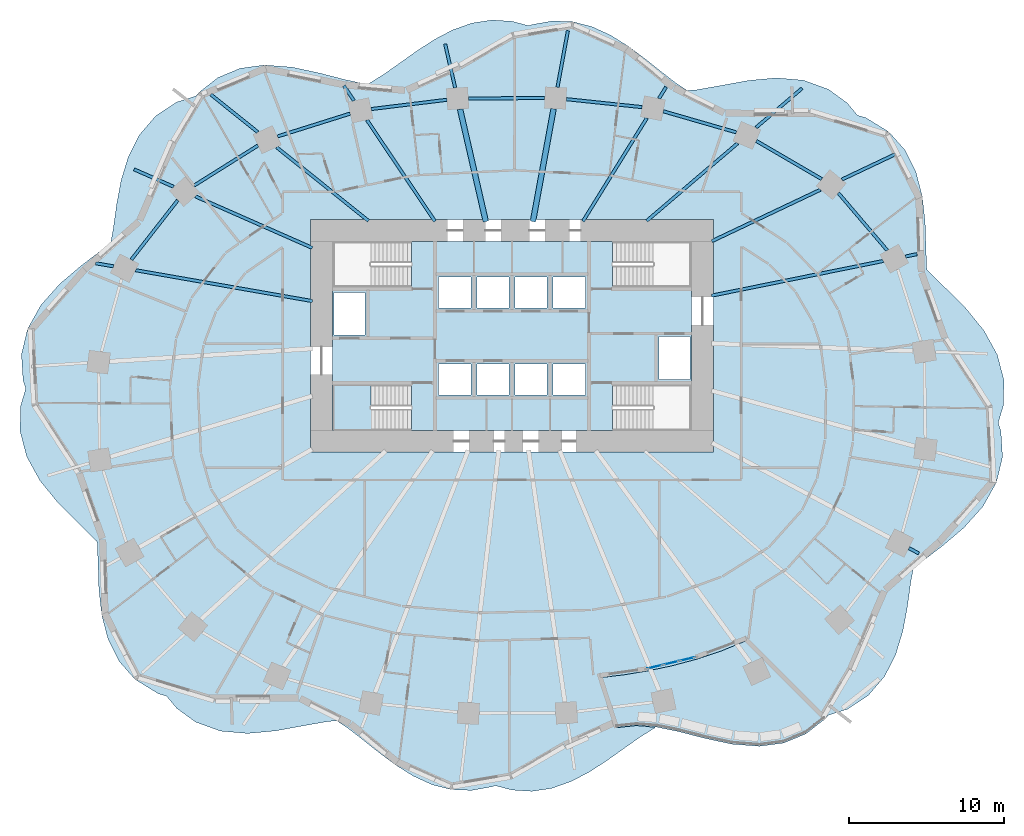
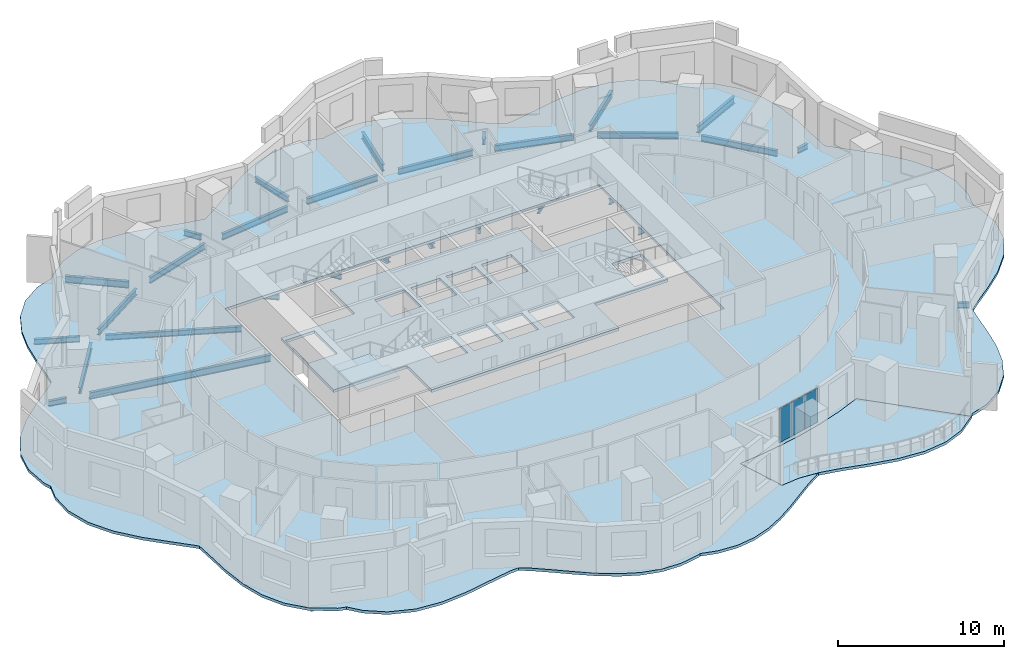
# One storey, part 3 of 14: 30 beams, 4 slabs, 3 plates, 2 elements without a shape of their own.
"""IFC4 building model written with IfcOpenShell, lengths in metres."""

from ifc_helpers import new_model, si_unit, direction, frame, origin, origin_2d, place, context, subcontext, project, spatial, polyline, rectangle, i_section, outline, extrude, material, layer, layer_set, material_profile, profile_set, type_object, element, aggregate, save


model = new_model("IFC4")

# Units and contexts
model_context = context("Model", 3, precision=1e-05, world=origin(), true_north=direction((0.0, 1.0)))
body_context = subcontext(model_context, "Body", "Model", "MODEL_VIEW")
ifc_project = project(units=[si_unit("LENGTHUNIT", "METRE"), si_unit("AREAUNIT", "SQUARE_METRE"), si_unit("VOLUMEUNIT", "CUBIC_METRE"), si_unit("PLANEANGLEUNIT", "RADIAN"), si_unit("MASSUNIT", "GRAM", prefix="KILO")], contexts=[model_context])

# Site, building, storey
site_placement = place(None, origin())
site = spatial("IfcSite", under=ifc_project, at=site_placement, CompositionType="ELEMENT")
building_placement = place(site_placement, origin())
building = spatial("IfcBuilding", under=site, at=building_placement, Name="Rubra Terraces Tower", CompositionType="ELEMENT")
storey_placement = place(building_placement, frame((0.0, 0.0, 44.699951171875)))
storey = spatial("IfcBuildingStorey", under=building, at=storey_placement, Name="L08", CompositionType="ELEMENT", Elevation=44.699951171875)

# Beams
ifc_material_1 = material(Name="Steel Q355B", Category="steel")
ifc_material_profile_1 = material_profile(ifc_material_1, i_section(OverallWidth=0.199951171875, OverallDepth=0.39990234375, WebThickness=0.008056640625, FlangeThickness=0.012939453125, at=origin_2d()), Name="HN 400x200x8x13")
ifc_profile_set_1 = profile_set([ifc_material_profile_1], Name="Steel Q355B")
beam_type_1 = type_object("IfcBeamType", Name="CANTILEVER BEAM HN 400x200x8x13", PredefinedType="BEAM", material=ifc_profile_set_1)
beam_1_placement = place(storey_placement, frame((-3.6669921875, 20.514892578125, -0.39990234375), z_axis=(-0.223149467585, 0.974784240289, 0.0), x_axis=(-0.974784240289, -0.223149467585, 0.0)))
element("IfcBeam", 1, at=beam_1_placement, inside=storey, type_object=beam_type_1, Name="beam-L08-cant-07", PredefinedType="BEAM", context=body_context, shape_type="SweptSolid", body=[
    extrude(i_section(OverallWidth=0.199951171875, OverallDepth=0.39990234375, WebThickness=0.008056640625, FlangeThickness=0.012939453125, at=origin_2d()), origin(), (0.0, 0.0, 1.0), 2.899169921875),
])
beam_2_placement = place(storey_placement, frame((-21.8369140625, 14.1259765625, -0.39990234375), z_axis=(-0.914977711783, 0.403504382802, 0.0), x_axis=(-0.403504382802, -0.914977711783, 0.0)))
element("IfcBeam", 2, at=beam_2_placement, inside=storey, type_object=beam_type_1, Name="beam-L08-cant-10", PredefinedType="BEAM", context=body_context, shape_type="SweptSolid", body=[
    extrude(i_section(OverallWidth=0.199951171875, OverallDepth=0.39990234375, WebThickness=0.008056640625, FlangeThickness=0.012939453125, at=origin_2d()), origin(), (0.0, 0.0, 1.0), 2.7880859375),
])
ifc_material_profile_2 = material_profile(ifc_material_1, i_section(OverallWidth=0.198974609375, OverallDepth=0.49609375, WebThickness=0.009033203125, FlangeThickness=0.013916015625, at=origin_2d()), Name="HN 496x199x9x14")
ifc_profile_set_2 = profile_set([ifc_material_profile_2], Name="Steel Q355B")
beam_type_2 = type_object("IfcBeamType", Name="CANTILEVER BEAM HN 496x199x9x14", PredefinedType="BEAM", material=ifc_profile_set_2)
beam_3_placement = place(storey_placement, frame((21.2958984375, 14.595947265625, -0.447998046875), z_axis=(0.903605833067, 0.428364912717, 0.0), x_axis=(-0.428364912717, 0.903605833067, 0.0)))
element("IfcBeam", 3, at=beam_3_placement, inside=storey, type_object=beam_type_2, Name="beam-L08-cant-03", PredefinedType="BEAM", context=body_context, shape_type="SweptSolid", body=[
    extrude(i_section(OverallWidth=0.198974609375, OverallDepth=0.49609375, WebThickness=0.009033203125, FlangeThickness=0.013916015625, at=origin_2d()), origin(), (0.0, 0.0, 1.0), 3.880126953125),
])
beam_4_placement = place(storey_placement, frame((15.7509765625, 17.947998046875, -0.447998046875), z_axis=(0.760549427377, 0.649280038594, 0.0), x_axis=(-0.649280038594, 0.760549427377, 0.0)))
element("IfcBeam", 4, at=beam_4_placement, inside=storey, type_object=beam_type_2, Name="beam-L08-cant-04", PredefinedType="BEAM", context=body_context, shape_type="SweptSolid", body=[
    extrude(i_section(OverallWidth=0.198974609375, OverallDepth=0.49609375, WebThickness=0.009033203125, FlangeThickness=0.013916015625, at=origin_2d()), origin(), (0.0, 0.0, 1.0), 3.901123046875),
])
beam_5_placement = place(storey_placement, frame((2.93798828125, 20.549072265625, -0.447998046875), z_axis=(0.180160105154, 0.983637299268, 0.0), x_axis=(-0.983637299268, 0.180160105154, 0.0)))
element("IfcBeam", 5, at=beam_5_placement, inside=storey, type_object=beam_type_2, Name="beam-L08-cant-06", PredefinedType="BEAM", context=body_context, shape_type="SweptSolid", body=[
    extrude(i_section(OverallWidth=0.198974609375, OverallDepth=0.49609375, WebThickness=0.009033203125, FlangeThickness=0.013916015625, at=origin_2d()), origin(), (0.0, 0.0, 1.0), 3.70751953125),
])
beam_6_placement = place(storey_placement, frame((-16.408935546875, 17.654052734375, -0.447998046875), z_axis=(-0.780303082646, 0.625401550376, 0.0), x_axis=(-0.625401550376, -0.780303082646, 0.0)))
element("IfcBeam", 6, at=beam_6_placement, inside=storey, type_object=beam_type_2, Name="beam-L08-cant-09", PredefinedType="BEAM", context=body_context, shape_type="SweptSolid", body=[
    extrude(i_section(OverallWidth=0.198974609375, OverallDepth=0.49609375, WebThickness=0.009033203125, FlangeThickness=0.013916015625, at=origin_2d()), origin(), (0.0, 0.0, 1.0), 3.875732421875),
])
ifc_material_profile_3 = material_profile(ifc_material_1, i_section(OverallWidth=0.199951171875, OverallDepth=0.39990234375, WebThickness=0.008056640625, FlangeThickness=0.012939453125, at=origin_2d()), Name="HN 400x200x8x13")
ifc_profile_set_3 = profile_set([ifc_material_profile_3], Name="Steel Q355B")
beam_type_3 = type_object("IfcBeamType", Name="CANTILEVER STUB HN 400x200x8x13", PredefinedType="BEAM", material=ifc_profile_set_3)
beam_7_placement = place(storey_placement, frame((25.39599609375, 9.6279296875, -0.39990234375), z_axis=(0.980131570492, 0.198348442202, 0.0), x_axis=(-0.198348442202, 0.980131570492, 0.0)))
element("IfcBeam", 7, at=beam_7_placement, inside=storey, type_object=beam_type_3, Name="beam-L08-cant-02", PredefinedType="BEAM", context=body_context, shape_type="SweptSolid", body=[
    extrude(i_section(OverallWidth=0.199951171875, OverallDepth=0.39990234375, WebThickness=0.008056640625, FlangeThickness=0.012939453125, at=origin_2d()), origin(), (0.0, 0.0, 1.0), 0.757080078125),
])
beam_8_placement = place(storey_placement, frame((9.488037109375, 19.827880859375, -0.39990234375), z_axis=(0.526364336009, 0.850259128606, 0.0), x_axis=(-0.850259128606, 0.526364336009, 0.0)))
element("IfcBeam", 8, at=beam_8_placement, inside=storey, type_object=beam_type_3, Name="beam-L08-cant-05", PredefinedType="BEAM", context=body_context, shape_type="SweptSolid", body=[
    extrude(i_section(OverallWidth=0.199951171875, OverallDepth=0.39990234375, WebThickness=0.008056640625, FlangeThickness=0.012939453125, at=origin_2d()), origin(), (0.0, 0.0, 1.0), 0.864501953125),
])
beam_9_placement = place(storey_placement, frame((-10.199951171875, 19.68310546875, -0.39990234375), z_axis=(-0.557843143938, 0.829946399932, 0.0), x_axis=(-0.829946399932, -0.557843143938, 0.0)))
element("IfcBeam", 9, at=beam_9_placement, inside=storey, type_object=beam_type_3, Name="beam-L08-cant-08", PredefinedType="BEAM", context=body_context, shape_type="SweptSolid", body=[
    extrude(i_section(OverallWidth=0.199951171875, OverallDepth=0.39990234375, WebThickness=0.008056640625, FlangeThickness=0.012939453125, at=origin_2d()), origin(), (0.0, 0.0, 1.0), 1.163818359375),
])
beam_10_placement = place(storey_placement, frame((-25.722900390625, 8.991943359375, -0.39990234375), z_axis=(-0.985070350179, 0.172152273287, 0.0), x_axis=(-0.172152273287, -0.985070350179, 0.0)))
element("IfcBeam", 10, at=beam_10_placement, inside=storey, type_object=beam_type_3, Name="beam-L08-cant-11", PredefinedType="BEAM", context=body_context, shape_type="SweptSolid", body=[
    extrude(i_section(OverallWidth=0.199951171875, OverallDepth=0.39990234375, WebThickness=0.008056640625, FlangeThickness=0.012939453125, at=origin_2d()), origin(), (0.0, 0.0, 1.0), 1.16845703125),
])
beam_11_placement = place(storey_placement, frame((25.62109375, -9.196044921875, -0.39990234375), z_axis=(0.881824185964, -0.471578312741, 0.0), x_axis=(0.471578312741, 0.881824185964, 0.0)))
element("IfcBeam", 11, at=beam_11_placement, inside=storey, type_object=beam_type_3, Name="beam-L08-cant-23", PredefinedType="BEAM", context=body_context, shape_type="SweptSolid", body=[
    extrude(i_section(OverallWidth=0.199951171875, OverallDepth=0.39990234375, WebThickness=0.008056640625, FlangeThickness=0.012939453125, at=origin_2d()), origin(), (0.0, 0.0, 1.0), 0.716552734375),
])
ifc_material_profile_4 = material_profile(ifc_material_1, i_section(OverallWidth=0.199951171875, OverallDepth=0.39990234375, WebThickness=0.008056640625, FlangeThickness=0.012939453125, at=origin_2d()), Name="HN 400x200x8x13")
ifc_profile_set_4 = profile_set([ifc_material_profile_4], Name="Steel Q355B")
beam_type_4 = type_object("IfcBeamType", Name="FLOOR BEAM HN 400x200x8x13", PredefinedType="BEAM", material=ifc_profile_set_4)
beam_12_placement = place(storey_placement, frame((19.904052734375, 13.93603515625, -0.39990234375), z_axis=(-0.903612237836, -0.428351402045, 0.0), x_axis=(0.428351402045, -0.903612237836, 0.0)))
element("IfcBeam", 12, at=beam_12_placement, inside=storey, type_object=beam_type_4, Name="beam-L08-floor-03", PredefinedType="BEAM", context=body_context, shape_type="SweptSolid", body=[
    extrude(i_section(OverallWidth=0.199951171875, OverallDepth=0.39990234375, WebThickness=0.008056640625, FlangeThickness=0.012939453125, at=origin_2d()), origin(), (0.0, 0.0, 1.0), 7.760009765625),
])
beam_13_placement = place(storey_placement, frame((14.56298828125, 16.93408203125, -0.39990234375), z_axis=(-0.760494401061, -0.649344489431, 0.0), x_axis=(0.649344489431, -0.760494401061, 0.0)))
element("IfcBeam", 13, at=beam_13_placement, inside=storey, type_object=beam_type_4, Name="beam-L08-floor-04", PredefinedType="BEAM", context=body_context, shape_type="SweptSolid", body=[
    extrude(i_section(OverallWidth=0.199951171875, OverallDepth=0.39990234375, WebThickness=0.008056640625, FlangeThickness=0.012939453125, at=origin_2d()), origin(), (0.0, 0.0, 1.0), 7.718505859375),
])
beam_14_placement = place(storey_placement, frame((8.699951171875, 18.555908203125, -0.39990234375), z_axis=(-0.526285914839, -0.850307671283, 0.0), x_axis=(0.850307671283, -0.526285914839, 0.0)))
element("IfcBeam", 14, at=beam_14_placement, inside=storey, type_object=beam_type_4, Name="beam-L08-floor-05", PredefinedType="BEAM", context=body_context, shape_type="SweptSolid", body=[
    extrude(i_section(OverallWidth=0.199951171875, OverallDepth=0.39990234375, WebThickness=0.008056640625, FlangeThickness=0.012939453125, at=origin_2d()), origin(), (0.0, 0.0, 1.0), 7.830078125),
])
beam_15_placement = place(storey_placement, frame((-9.360107421875, 18.43310546875, -0.39990234375), z_axis=(0.557574689395, -0.830126776912, 0.0), x_axis=(0.830126776912, 0.557574689395, 0.0)))
element("IfcBeam", 15, at=beam_15_placement, inside=storey, type_object=beam_type_4, Name="beam-L08-floor-08", PredefinedType="BEAM", context=body_context, shape_type="SweptSolid", body=[
    extrude(i_section(OverallWidth=0.199951171875, OverallDepth=0.39990234375, WebThickness=0.008056640625, FlangeThickness=0.012939453125, at=origin_2d()), origin(), (0.0, 0.0, 1.0), 7.8701171875),
])
beam_16_placement = place(storey_placement, frame((-15.18896484375, 16.676025390625, -0.39990234375), z_axis=(0.780266406942, -0.625447307291, 0.0), x_axis=(0.625447307291, 0.780266406942, 0.0)))
element("IfcBeam", 16, at=beam_16_placement, inside=storey, type_object=beam_type_4, Name="beam-L08-floor-09", PredefinedType="BEAM", context=body_context, shape_type="SweptSolid", body=[
    extrude(i_section(OverallWidth=0.199951171875, OverallDepth=0.39990234375, WebThickness=0.008056640625, FlangeThickness=0.012939453125, at=origin_2d()), origin(), (0.0, 0.0, 1.0), 7.59619140625),
])
beam_17_placement = place(storey_placement, frame((-20.43310546875, 13.508056640625, -0.39990234375), z_axis=(0.914994662209, -0.4034659442, 0.0), x_axis=(0.4034659442, 0.914994662209, 0.0)))
element("IfcBeam", 17, at=beam_17_placement, inside=storey, type_object=beam_type_4, Name="beam-L08-floor-10", PredefinedType="BEAM", context=body_context, shape_type="SweptSolid", body=[
    extrude(i_section(OverallWidth=0.199951171875, OverallDepth=0.39990234375, WebThickness=0.008056640625, FlangeThickness=0.012939453125, at=origin_2d()), origin(), (0.0, 0.0, 1.0), 8.243896484375),
])
ifc_material_profile_5 = material_profile(ifc_material_1, i_section(OverallWidth=0.198974609375, OverallDepth=0.49609375, WebThickness=0.009033203125, FlangeThickness=0.013916015625, at=origin_2d()), Name="HN 496x199x9x14")
ifc_profile_set_5 = profile_set([ifc_material_profile_5], Name="Steel Q355B")
beam_type_5 = type_object("IfcBeamType", Name="FLOOR BEAM HN 496x199x9x14", PredefinedType="BEAM", material=ifc_profile_set_5)
beam_18_placement = place(storey_placement, frame((23.9560546875, 9.337890625, -0.447998046875), z_axis=(-0.980204035637, -0.197990021264, 0.0), x_axis=(0.197990021264, -0.980204035637, 0.0)))
element("IfcBeam", 18, at=beam_18_placement, inside=storey, type_object=beam_type_5, Name="beam-L08-floor-02", PredefinedType="BEAM", context=body_context, shape_type="SweptSolid", body=[
    extrude(i_section(OverallWidth=0.198974609375, OverallDepth=0.49609375, WebThickness=0.009033203125, FlangeThickness=0.013916015625, at=origin_2d()), origin(), (0.0, 0.0, 1.0), 11.297607421875),
])
beam_19_placement = place(storey_placement, frame((-24.282958984375, 8.739990234375, -0.447998046875), z_axis=(0.985091834527, -0.172029292701, 0.0), x_axis=(0.172029292701, 0.985091834527, 0.0)))
element("IfcBeam", 19, at=beam_19_placement, inside=storey, type_object=beam_type_5, Name="beam-L08-floor-11", PredefinedType="BEAM", context=body_context, shape_type="SweptSolid", body=[
    extrude(i_section(OverallWidth=0.198974609375, OverallDepth=0.49609375, WebThickness=0.009033203125, FlangeThickness=0.013916015625, at=origin_2d()), origin(), (0.0, 0.0, 1.0), 11.573486328125),
])
ifc_material_profile_6 = material_profile(ifc_material_1, i_section(OverallWidth=0.35009765625, OverallDepth=0.35009765625, WebThickness=0.011962890625, FlangeThickness=0.01904296875, at=origin_2d()), Name="HW 350x350x12x19")
ifc_profile_set_6 = profile_set([ifc_material_profile_6], Name="Steel Q355B")
beam_type_6 = type_object("IfcBeamType", Name="FLOOR BEAM HW 350x350x12x19", PredefinedType="BEAM", material=ifc_profile_set_6)
beam_20_placement = place(storey_placement, frame((2.68408203125, 19.158935546875, -0.375), z_axis=(-0.180186319425, -0.983632497578, 0.0), x_axis=(0.983632497578, -0.180186319425, 0.0)))
element("IfcBeam", 20, at=beam_20_placement, inside=storey, type_object=beam_type_6, Name="beam-L08-floor-06", PredefinedType="BEAM", context=body_context, shape_type="SweptSolid", body=[
    extrude(i_section(OverallWidth=0.35009765625, OverallDepth=0.35009765625, WebThickness=0.011962890625, FlangeThickness=0.01904296875, at=origin_2d()), origin(), (0.0, 0.0, 1.0), 7.39794921875),
])
beam_21_placement = place(storey_placement, frame((-3.35107421875, 19.133056640625, -0.375), z_axis=(0.223209821828, -0.974770421914, 0.0), x_axis=(0.974770421914, 0.223209821828, 0.0)))
element("IfcBeam", 21, at=beam_21_placement, inside=storey, type_object=beam_type_6, Name="beam-L08-floor-07", PredefinedType="BEAM", context=body_context, shape_type="SweptSolid", body=[
    extrude(i_section(OverallWidth=0.35009765625, OverallDepth=0.35009765625, WebThickness=0.011962890625, FlangeThickness=0.01904296875, at=origin_2d()), origin(), (0.0, 0.0, 1.0), 7.437744140625),
])
ifc_material_profile_7 = material_profile(ifc_material_1, i_section(OverallWidth=0.198974609375, OverallDepth=0.446044921875, WebThickness=0.008056640625, FlangeThickness=0.011962890625, at=origin_2d()), Name="HN 446x199x8x12")
ifc_profile_set_7 = profile_set([ifc_material_profile_7], Name="Steel Q355B")
beam_type_7 = type_object("IfcBeamType", Name="SPANDREL BEAM HN 446x199x8x12", PredefinedType="SPANDREL", material=ifc_profile_set_7)
beam_22_placement = place(storey_placement, frame((24.212890625, 10.02587890625, -0.4228515625), z_axis=(-0.648447050824, 0.761259760054, 0.0), x_axis=(-0.761259760054, -0.648447050824, 0.0)))
element("IfcBeam", 22, at=beam_22_placement, inside=storey, type_object=beam_type_7, Name="beam-L08-spandrel-02", PredefinedType="SPANDREL", context=body_context, shape_type="SweptSolid", body=[
    extrude(i_section(OverallWidth=0.198974609375, OverallDepth=0.446044921875, WebThickness=0.008056640625, FlangeThickness=0.011962890625, at=origin_2d()), origin(), (0.0, 0.0, 1.0), 4.860595703125),
])
beam_23_placement = place(storey_placement, frame((19.987060546875, 14.6240234375, -0.4228515625), z_axis=(-0.863806081452, 0.503824427402, 0.0), x_axis=(-0.503824427402, -0.863806081452, 0.0)))
element("IfcBeam", 23, at=beam_23_placement, inside=storey, type_object=beam_type_7, Name="beam-L08-spandrel-03", PredefinedType="SPANDREL", context=body_context, shape_type="SweptSolid", body=[
    extrude(i_section(OverallWidth=0.198974609375, OverallDepth=0.446044921875, WebThickness=0.008056640625, FlangeThickness=0.011962890625, at=origin_2d()), origin(), (0.0, 0.0, 1.0), 4.886474609375),
])
beam_24_placement = place(storey_placement, frame((14.47900390625, 17.636962890625, -0.4228515625), z_axis=(-0.960743980202, 0.277436487337, 0.0), x_axis=(-0.277436487337, -0.960743980202, 0.0)))
element("IfcBeam", 24, at=beam_24_placement, inside=storey, type_object=beam_type_7, Name="beam-L08-spandrel-04", PredefinedType="SPANDREL", context=body_context, shape_type="SweptSolid", body=[
    extrude(i_section(OverallWidth=0.198974609375, OverallDepth=0.446044921875, WebThickness=0.008056640625, FlangeThickness=0.011962890625, at=origin_2d()), origin(), (0.0, 0.0, 1.0), 4.90234375),
])
beam_25_placement = place(storey_placement, frame((8.39501953125, 19.26611328125, -0.4228515625), z_axis=(-0.994495375694, 0.104780473964, 0.0), x_axis=(-0.104780473964, -0.994495375694, 0.0)))
element("IfcBeam", 25, at=beam_25_placement, inside=storey, type_object=beam_type_7, Name="beam-L08-spandrel-05", PredefinedType="SPANDREL", context=body_context, shape_type="SweptSolid", body=[
    extrude(i_section(OverallWidth=0.198974609375, OverallDepth=0.446044921875, WebThickness=0.008056640625, FlangeThickness=0.011962890625, at=origin_2d()), origin(), (0.0, 0.0, 1.0), 4.9140625),
])
beam_26_placement = place(storey_placement, frame((2.110107421875, 19.85107421875, -0.4228515625), z_axis=(-0.999987924698, -0.004914311469, 0.0), x_axis=(0.004914311469, -0.999987924698, 0.0)))
element("IfcBeam", 26, at=beam_26_placement, inside=storey, type_object=beam_type_7, Name="beam-L08-spandrel-06", PredefinedType="SPANDREL", context=body_context, shape_type="SweptSolid", body=[
    extrude(i_section(OverallWidth=0.198974609375, OverallDepth=0.446044921875, WebThickness=0.008056640625, FlangeThickness=0.011962890625, at=origin_2d()), origin(), (0.0, 0.0, 1.0), 4.918212890625),
])
beam_27_placement = place(storey_placement, frame((-4.205078125, 19.739013671875, -0.4228515625), z_axis=(-0.992616576014, -0.12129440639, 0.0), x_axis=(0.12129440639, -0.992616576014, 0.0)))
element("IfcBeam", 27, at=beam_27_placement, inside=storey, type_object=beam_type_7, Name="beam-L08-spandrel-07", PredefinedType="SPANDREL", context=body_context, shape_type="SweptSolid", body=[
    extrude(i_section(OverallWidth=0.198974609375, OverallDepth=0.446044921875, WebThickness=0.008056640625, FlangeThickness=0.011962890625, at=origin_2d()), origin(), (0.0, 0.0, 1.0), 4.913330078125),
])
beam_28_placement = place(storey_placement, frame((-10.450927734375, 18.846923828125, -0.4228515625), z_axis=(-0.953954624663, -0.299950952796, 0.0), x_axis=(0.299950952796, -0.953954624663, 0.0)))
element("IfcBeam", 28, at=beam_28_placement, inside=storey, type_object=beam_type_7, Name="beam-L08-spandrel-08", PredefinedType="SPANDREL", context=body_context, shape_type="SweptSolid", body=[
    extrude(i_section(OverallWidth=0.198974609375, OverallDepth=0.446044921875, WebThickness=0.008056640625, FlangeThickness=0.011962890625, at=origin_2d()), origin(), (0.0, 0.0, 1.0), 4.900634765625),
])
beam_29_placement = place(storey_placement, frame((-16.39697265625, 16.7900390625, -0.4228515625), z_axis=(-0.847078460197, -0.531467856291, 0.0), x_axis=(0.531467856291, -0.847078460197, 0.0)))
element("IfcBeam", 29, at=beam_29_placement, inside=storey, type_object=beam_type_7, Name="beam-L08-spandrel-09", PredefinedType="SPANDREL", context=body_context, shape_type="SweptSolid", body=[
    extrude(i_section(OverallWidth=0.198974609375, OverallDepth=0.446044921875, WebThickness=0.008056640625, FlangeThickness=0.011962890625, at=origin_2d()), origin(), (0.0, 0.0, 1.0), 4.882568359375),
])
beam_30_placement = place(storey_placement, frame((-21.572998046875, 13.257080078125, -0.4228515625), z_axis=(-0.615577734286, -0.788076172112, 0.0), x_axis=(0.788076172112, -0.615577734286, 0.0)))
element("IfcBeam", 30, at=beam_30_placement, inside=storey, type_object=beam_type_7, Name="beam-L08-spandrel-10", PredefinedType="SPANDREL", context=body_context, shape_type="SweptSolid", body=[
    extrude(i_section(OverallWidth=0.198974609375, OverallDepth=0.446044921875, WebThickness=0.008056640625, FlangeThickness=0.011962890625, at=origin_2d()), origin(), (0.0, 0.0, 1.0), 4.85888671875),
])

# Slab
ifc_material_2 = material(Name="Concrete C40", Category="concrete")
ifc_layer_1 = layer(ifc_material_2, 0.199951171875)
ifc_layer_set_1 = layer_set([ifc_layer_1], Name="Concrete C40")
slab_type_1 = type_object("IfcSlabType", Name="Core floor slab 200 concrete", PredefinedType="FLOOR", material=ifc_layer_set_1)
slab_1_placement = place(storey_placement, frame((0.0, 0.0, -0.199951171875)))
element("IfcSlab", 31, at=slab_1_placement, inside=storey, type_object=slab_type_1, Name="CORE FLOOR SLAB L08", PredefinedType="FLOOR", context=body_context, shape_type="SweptSolid", body=[
    extrude(outline(polyline([(-11.60009765625, 1.347900390625), (-11.60009765625, 7.652099609375), (-6.501953125, 7.652099609375), (-6.501953125, 10.60009765625), (6.501953125, 10.60009765625), (6.501953125, 7.652099609375), (11.60009765625, 7.652099609375), (11.60009765625, 1.347900390625), (6.501953125, 1.347900390625), (6.501953125, -1.60009765625), (-6.501953125, -1.60009765625), (-6.501953125, 1.347900390625), (-11.60009765625, 1.347900390625)]), holes=[polyline([(9.5, 1.699951171875), (11.5, 1.699951171875), (11.5, 4.449951171875), (9.5, 4.449951171875), (9.5, 1.699951171875)]), polyline([(4.75, 0.699951171875), (4.75, 2.699951171875), (2.64990234375, 2.699951171875), (2.64990234375, 0.699951171875), (4.75, 0.699951171875)]), polyline([(4.75, 6.300048828125), (4.75, 8.300048828125), (2.64990234375, 8.300048828125), (2.64990234375, 6.300048828125), (4.75, 6.300048828125)]), polyline([(2.25, 0.699951171875), (2.25, 2.699951171875), (0.199951171875, 2.699951171875), (0.199951171875, 0.699951171875), (2.25, 0.699951171875)]), polyline([(2.25, 6.300048828125), (2.25, 8.300048828125), (0.199951171875, 8.300048828125), (0.199951171875, 6.300048828125), (2.25, 6.300048828125)]), polyline([(-0.199951171875, 0.699951171875), (-0.199951171875, 2.699951171875), (-2.25, 2.699951171875), (-2.25, 0.699951171875), (-0.199951171875, 0.699951171875)]), polyline([(-0.199951171875, 6.300048828125), (-0.199951171875, 8.300048828125), (-2.25, 8.300048828125), (-2.25, 6.300048828125), (-0.199951171875, 6.300048828125)]), polyline([(-2.64990234375, 0.699951171875), (-2.64990234375, 2.699951171875), (-4.75, 2.699951171875), (-4.75, 0.699951171875), (-2.64990234375, 0.699951171875)]), polyline([(-2.64990234375, 8.300048828125), (-4.75, 8.300048828125), (-4.75, 6.300048828125), (-2.64990234375, 6.300048828125), (-2.64990234375, 8.300048828125)]), polyline([(-9.5, 7.300048828125), (-11.5, 7.300048828125), (-11.5, 4.550048828125), (-9.5, 4.550048828125), (-9.5, 7.300048828125)])]), origin(), (0.0, 0.0, 1.0), 0.199951171875),
])

# Stair, slab
stair_type = type_object("IfcStairType", Name="Core stair 1400", PredefinedType="HALF_TURN_STAIR", material=ifc_material_2)
stair_placement = place(storey_placement, origin())
stair = element("IfcStair", 32, at=stair_placement, inside=storey, type_object=stair_type, Name="L08 Exit stair S1", PredefinedType="HALF_TURN_STAIR")
ifc_layer_2 = layer(ifc_material_2, 0.199951171875)
ifc_layer_set_2 = layer_set([ifc_layer_2], Name="Concrete C40")
slab_type_2 = type_object("IfcSlabType", Name="Core stair landing 200", PredefinedType="LANDING", material=ifc_layer_set_2)
slab_2_placement = place(storey_placement, frame((0.0, 0.0, 1.60009765625)))
slab_2 = element("IfcSlab", 33, at=slab_2_placement, type_object=slab_type_2, Name="S1 landing 1", PredefinedType="LANDING", context=body_context, shape_type="SweptSolid", body=[
    extrude(outline(polyline([(-8.719970703125, -0.199951171875), (-8.719970703125, -1.60009765625), (-9.10009765625, -1.60009765625), (-9.1201171875, -1.60009765625), (-11.60009765625, -1.60009765625), (-11.60009765625, 1.35009765625), (-9.1201171875, 1.35009765625), (-9.097900390625, 1.35009765625), (-9.097900390625, -0.050048828125), (-9.10009765625, -0.050048828125), (-9.10009765625, -0.199951171875), (-8.719970703125, -0.199951171875)])), origin(), (0.0, 0.0, 1.0), 0.199951171875),
])
aggregate(stair, [slab_2])

# Slabs
ifc_layer_3 = layer(ifc_material_2, 0.199951171875)
ifc_layer_set_3 = layer_set([ifc_layer_3], Name="Concrete C40")
slab_type_3 = type_object("IfcSlabType", Name="FLOOR SLAB 200 COMPOSITE", PredefinedType="FLOOR", material=ifc_layer_set_3)
slab_3_placement = place(storey_placement, frame((0.0, 0.0, -0.199951171875)))
element("IfcSlab", 34, at=slab_3_placement, inside=storey, type_object=slab_type_3, Name="FLOOR SLAB L08", PredefinedType="FLOOR", context=body_context, shape_type="SweptSolid", body=[
    extrude(outline(polyline([(6.113037109375, -22.916015625), (7.196044921875, -22.14599609375), (8.248046875, -21.404052734375), (9.283935546875, -20.757080078125), (8.02294921875, -20.64404296875), (6.751953125, -20.779052734375), (5.702880859375, -17.552978515625), (7.218994140625, -17.3701171875), (8.72509765625, -17.125), (10.319091796875, -16.7880859375), (11.89208984375, -16.367919921875), (13.5439453125, -15.81689453125), (15.153076171875, -15.153076171875), (20.2109375, -20.2109375), (20.39501953125, -19.985107421875), (21.64111328125, -19.592041015625), (22.986083984375, -18.7119140625), (24.048095703125, -17.471923828125), (24.759033203125, -16.074951171875), (25.22607421875, -14.548095703125), (25.513916015625, -13.0), (25.739013671875, -11.376953125), (25.89208984375, -10.550048828125), (26.39111328125, -10.115966796875), (27.805908203125, -9.034912109375), (29.181884765625, -7.865966796875), (30.39794921875, -6.501953125), (31.26611328125, -4.951904296875), (31.658935546875, -3.304931640625), (31.553955078125, -1.6279296875), (31.382080078125, -1.10595703125), (31.70703125, 0.0), (31.751953125, 1.637939453125), (31.323974609375, 3.27587890625), (30.47509765625, 4.826904296875), (29.300048828125, 6.27197265625), (28.02099609375, 7.550048828125), (26.830078125, 8.718017578125), (26.77001953125, 8.7890625), (26.715087890625, 10.19189453125), (26.6650390625, 11.81103515625), (26.48291015625, 13.493896484375), (26.068115234375, 15.0791015625), (25.35205078125, 16.506103515625), (24.322021484375, 17.6708984375), (22.818115234375, 18.594970703125), (22.299072265625, 18.739013671875), (21.62890625, 19.54296875), (20.419921875, 20.419921875), (18.81201171875, 21.001953125), (17.053955078125, 21.155029296875), (15.2470703125, 20.986083984375), (13.51904296875, 20.6689453125), (11.8759765625, 20.3798828125), (11.306884765625, 20.342041015625), (10.60205078125, 20.80810546875), (9.610107421875, 21.573974609375), (8.590087890625, 22.386962890625), (7.531005859375, 23.177978515625), (6.367919921875, 23.908935546875), (5.162109375, 24.4599609375), (3.924072265625, 24.778076171875), (2.60888671875, 24.8291015625), (1.2958984375, 24.593994140625), (1.091064453125, 24.51904296875), (0.0, 24.806884765625), (-1.281005859375, 24.889892578125), (-2.568115234375, 24.697021484375), (-3.840087890625, 24.24609375), (-4.992919921875, 23.639892578125), (-6.113037109375, 22.916015625), (-7.196044921875, 22.14599609375), (-8.248046875, 21.404052734375), (-9.283935546875, 20.757080078125), (-9.337890625, 20.7451171875), (-10.712890625, 21.02587890625), (-12.422119140625, 21.467041015625), (-14.194091796875, 21.846923828125), (-15.972900390625, 21.98388671875), (-17.5390625, 21.77294921875), (-18.971923828125, 21.178955078125), (-20.2109375, 20.2109375), (-20.39501953125, 19.985107421875), (-21.64111328125, 19.592041015625), (-22.986083984375, 18.7119140625), (-24.048095703125, 17.471923828125), (-24.759033203125, 16.074951171875), (-25.22607421875, 14.548095703125), (-25.513916015625, 13.0), (-25.739013671875, 11.376953125), (-25.89208984375, 10.550048828125), (-26.39111328125, 10.115966796875), (-27.805908203125, 9.034912109375), (-29.181884765625, 7.865966796875), (-30.39794921875, 6.501953125), (-31.26611328125, 4.951904296875), (-31.658935546875, 3.304931640625), (-31.553955078125, 1.6279296875), (-31.382080078125, 1.10595703125), (-31.70703125, 0.0), (-31.751953125, -1.637939453125), (-31.323974609375, -3.27587890625), (-30.47509765625, -4.826904296875), (-29.300048828125, -6.27197265625), (-28.02099609375, -7.550048828125), (-26.830078125, -8.718017578125), (-26.77001953125, -8.7890625), (-26.715087890625, -10.19189453125), (-26.6650390625, -11.81103515625), (-26.48291015625, -13.493896484375), (-26.068115234375, -15.0791015625), (-25.35205078125, -16.506103515625), (-24.322021484375, -17.6708984375), (-22.818115234375, -18.594970703125), (-22.299072265625, -18.739013671875), (-21.62890625, -19.54296875), (-20.419921875, -20.419921875), (-18.81201171875, -21.001953125), (-17.053955078125, -21.155029296875), (-15.2470703125, -20.986083984375), (-13.51904296875, -20.6689453125), (-11.8759765625, -20.3798828125), (-11.306884765625, -20.342041015625), (-10.60205078125, -20.80810546875), (-9.610107421875, -21.573974609375), (-8.590087890625, -22.386962890625), (-7.531005859375, -23.177978515625), (-6.367919921875, -23.908935546875), (-5.162109375, -24.4599609375), (-3.924072265625, -24.778076171875), (-2.60888671875, -24.8291015625), (-1.2958984375, -24.593994140625), (-1.091064453125, -24.51904296875), (0.0, -24.806884765625), (1.281005859375, -24.889892578125), (2.568115234375, -24.697021484375), (3.840087890625, -24.24609375), (4.992919921875, -23.639892578125), (6.113037109375, -22.916015625)]), holes=[polyline([(13.0, 12.0), (13.0, -3.0), (-13.0, -3.0), (-13.0, 12.0), (13.0, 12.0)])]), origin(), (0.0, 0.0, 1.0), 0.199951171875),
])
slab_4_placement = place(storey_placement, frame((0.0, 0.0, -0.199951171875)))
element("IfcSlab", 35, at=slab_4_placement, inside=storey, type_object=slab_type_3, Name="TERRACE SLAB L08", PredefinedType="FLOOR", context=body_context, shape_type="SweptSolid", body=[
    extrude(outline(polyline([(6.751953125, -20.779052734375), (8.02294921875, -20.64404296875), (9.337890625, -20.7451171875), (10.712890625, -21.02587890625), (12.422119140625, -21.467041015625), (14.194091796875, -21.846923828125), (15.972900390625, -21.98388671875), (17.5390625, -21.77294921875), (18.971923828125, -21.178955078125), (20.2109375, -20.2109375), (15.153076171875, -15.153076171875), (13.5439453125, -15.81689453125), (11.89208984375, -16.367919921875), (10.319091796875, -16.7880859375), (8.72509765625, -17.125), (7.218994140625, -17.3701171875), (5.702880859375, -17.552978515625), (6.751953125, -20.779052734375)])), origin(), (0.0, 0.0, 1.0), 0.199951171875),
])

# Curtain wall, plates
ifc_material_3 = material(Name="Aluminium and glass", Category="aluminium")
curtain_wall_type = type_object("IfcCurtainWallType", Name="Curtain wall Terrace glazing", PredefinedType="NOTDEFINED", material=ifc_material_3)
curtain_wall_placement = place(storey_placement, origin())
curtain_wall = element("IfcCurtainWall", 36, at=curtain_wall_placement, inside=storey, type_object=curtain_wall_type, Name="Terrace glazing L08", PredefinedType="NOTDEFINED")
ifc_material_4 = material(Name="Clear glass, laminated", Category="glass")
ifc_layer_4 = layer(ifc_material_4, 0.028076171875)
ifc_layer_set_4 = layer_set([ifc_layer_4], Name="Clear glass, laminated")
plate_type = type_object("IfcPlateType", Name="Terrace glazing glass panel 28", PredefinedType="CURTAIN_PANEL", material=ifc_layer_set_4)
plate_1_placement = place(storey_placement, frame((9.22998046875, -16.85009765625, 0.10009765625), z_axis=(0.0, 0.0, 1.0), x_axis=(0.972601538953, 0.232478485943, 0.0)))
plate_1 = element("IfcPlate", 37, at=plate_1_placement, type_object=plate_type, Name="CW3 panel 1.1", PredefinedType="CURTAIN_PANEL", context=body_context, shape_type="SweptSolid", body=[
    extrude(rectangle(XDim=1.010498046875, YDim=0.028076171875, at=origin_2d()), origin(), (0.0, 0.0, 1.0), 2.5),
])
plate_2_placement = place(storey_placement, frame((10.273681640625, -16.6005859375, 0.10009765625), z_axis=(0.0, 0.0, 1.0), x_axis=(0.972601538953, 0.232478485943, 0.0)))
plate_2 = element("IfcPlate", 38, at=plate_2_placement, type_object=plate_type, Name="CW3 panel 2.1", PredefinedType="CURTAIN_PANEL", context=body_context, shape_type="SweptSolid", body=[
    extrude(rectangle(XDim=1.035400390625, YDim=0.028076171875, at=origin_2d()), origin(), (0.0, 0.0, 1.0), 2.5),
])
plate_3_placement = place(storey_placement, frame((11.317138671875, -16.35107421875, 0.10009765625), z_axis=(0.0, 0.0, 1.0), x_axis=(0.972601538953, 0.232478485943, 0.0)))
plate_3 = element("IfcPlate", 39, at=plate_3_placement, type_object=plate_type, Name="CW3 panel 3.1", PredefinedType="CURTAIN_PANEL", context=body_context, shape_type="SweptSolid", body=[
    extrude(rectangle(XDim=1.010498046875, YDim=0.028076171875, at=origin_2d()), origin(), (0.0, 0.0, 1.0), 2.5),
])
aggregate(curtain_wall, [plate_1, plate_2, plate_3])

save(model, "model.ifc")
